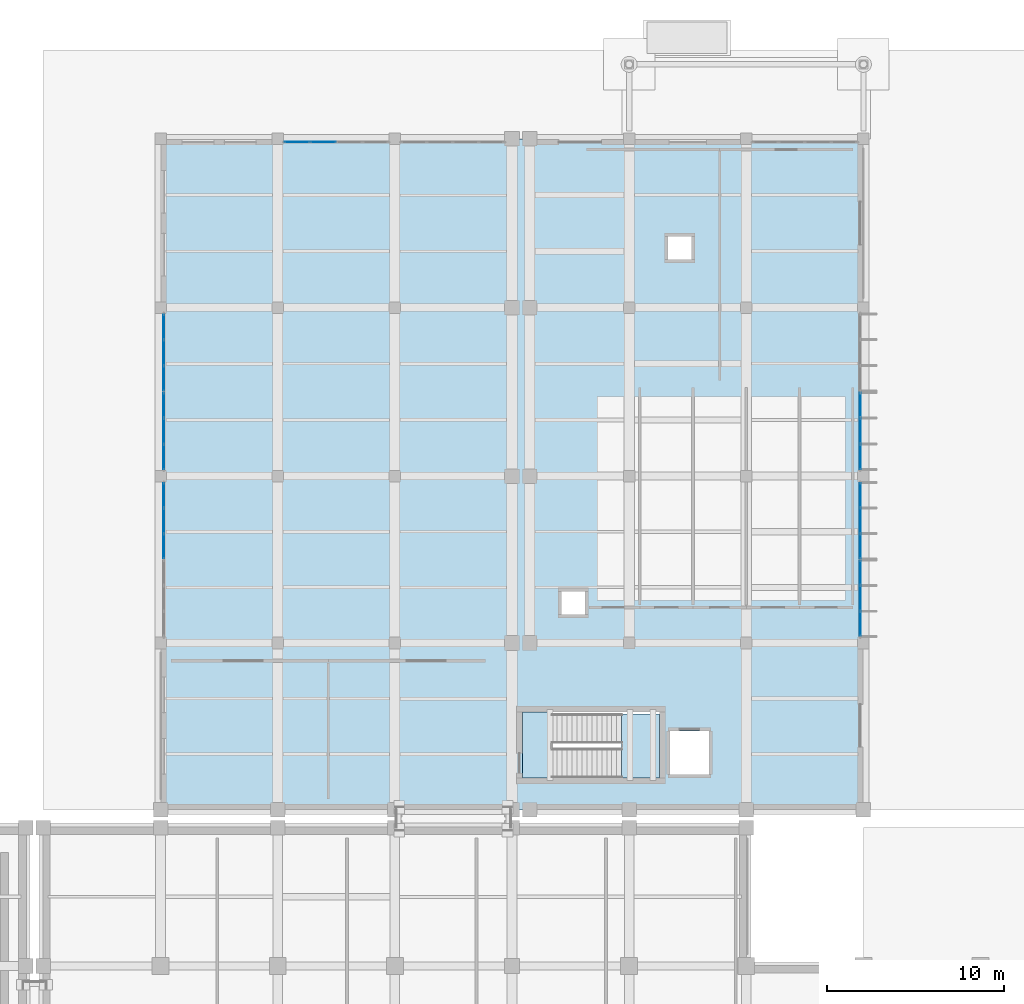
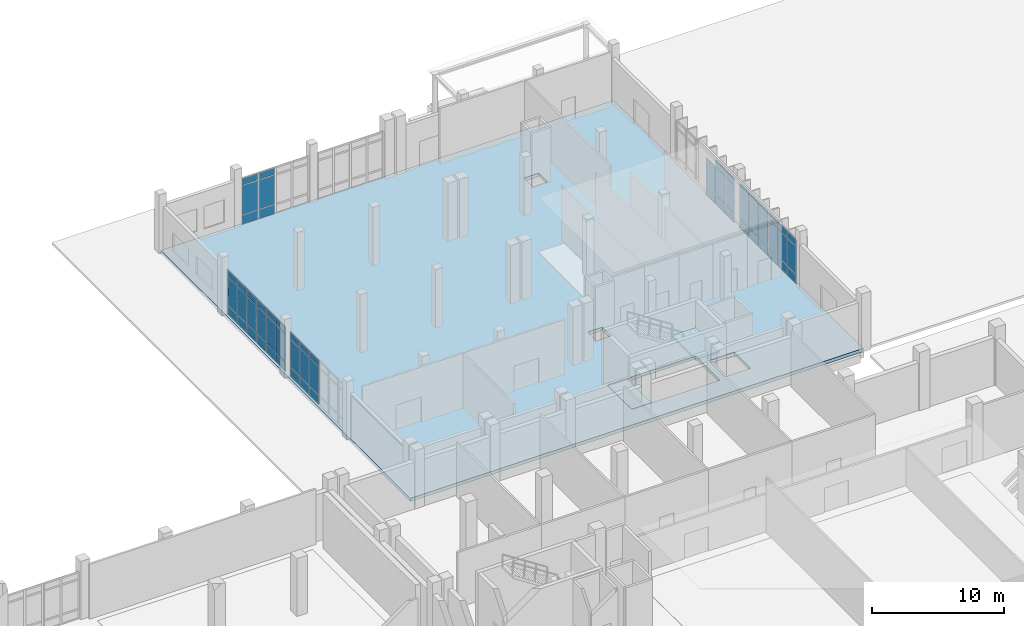
# One storey, part 45 of 79: 59 plates, 3 slabs, 8 elements without a shape of their own.
"""IFC4 building model written with IfcOpenShell, lengths in metres."""

from ifc_helpers import new_model, si_unit, direction, frame, origin, origin_2d, place, context, subcontext, project, spatial, polyline, rectangle, outline, extrude, material, layer, layer_set, type_object, element, aggregate, save


model = new_model("IFC4")

# Units and contexts
model_context = context("Model", 3, precision=1e-05, world=origin(), true_north=direction((0.0, 1.0)))
body_context = subcontext(model_context, "Body", "Model", "MODEL_VIEW")
ifc_project = project(units=[si_unit("LENGTHUNIT", "METRE"), si_unit("AREAUNIT", "SQUARE_METRE"), si_unit("VOLUMEUNIT", "CUBIC_METRE"), si_unit("PLANEANGLEUNIT", "RADIAN"), si_unit("MASSUNIT", "GRAM", prefix="KILO")], contexts=[model_context])

# Site, building, storey
site_placement = place(None, origin())
site = spatial("IfcSite", under=ifc_project, at=site_placement, CompositionType="ELEMENT")
building_placement = place(site_placement, origin())
building = spatial("IfcBuilding", under=site, at=building_placement, Name="Kelarvand Opera House", CompositionType="ELEMENT")
storey_placement = place(building_placement, origin())
storey = spatial("IfcBuildingStorey", under=building, at=storey_placement, Name="L00", CompositionType="ELEMENT", Elevation=0.0)

# Slab
ifc_material_1 = material(Name="Concrete C35/45", Category="concrete")
ifc_layer_1 = layer(ifc_material_1, 0.219970703125, Name="Concrete C35/45", Category="concrete")
ifc_layer_set_1 = layer_set([ifc_layer_1], Name="Concrete C35/45")
slab_type_1 = type_object("IfcSlabType", Name="Core Stair Entry Landing Slab 220", PredefinedType="LANDING", material=ifc_layer_set_1)
slab_1_placement = place(storey_placement, frame((0.0, 0.0, -0.219970703125)))
element("IfcSlab", 1, at=slab_1_placement, inside=storey, type_object=slab_type_1, Name="C7 Stair Entry Landing L00", PredefinedType="LANDING", context=body_context, shape_type="SweptSolid", body=[
    extrude(outline(polyline([(116.0, 89.0), (117.719970703125, 89.0), (117.719970703125, 92.699951171875), (116.0, 92.699951171875), (116.0, 89.0)])), origin(), (0.0, 0.0, 1.0), 0.219970703125),
])

# Curtain wall, plates
ifc_material_2 = material(Name="Thermally broken aluminium and low-E glazing", Category="aluminium")
ifc_layer_2 = layer(ifc_material_2, 0.179931640625, Name="Thermally broken aluminium and low-E glazing", Category="aluminium")
ifc_layer_set_2 = layer_set([ifc_layer_2], Name="Thermally broken aluminium and low-E glazing")
curtain_wall_type_1 = type_object("IfcCurtainWallType", Name="Unitised Low-E Curtain Wall 4411x4200 Mod 1450 CWF-37", PredefinedType="USERDEFINED", material=ifc_layer_set_2)
curtain_wall_1_placement = place(storey_placement, origin())
curtain_wall_1 = element("IfcCurtainWall", 2, at=curtain_wall_1_placement, inside=storey, type_object=curtain_wall_type_1, Name="V5 L00 Curtain Wall CWF-37 (164)", ObjectType="UNITISED CURTAIN WALL", PredefinedType="USERDEFINED")
ifc_material_3 = material(Name="Low-E laminated double glazing", Category="glass")
ifc_layer_3 = layer(ifc_material_3, 0.031982421875, Name="Low-E laminated double glazing", Category="glass")
ifc_layer_set_3 = layer_set([ifc_layer_3], Name="Low-E laminated double glazing")
plate_type = type_object("IfcPlateType", Name="Low-E Argon Double Glazed Curtain Panel 32mm", PredefinedType="CURTAIN_PANEL", material=ifc_layer_set_3)
plate_1_placement = place(storey_placement, frame((135.02001953125, 109.997802734375, 0.06494140625), z_axis=(0.0, 0.0, 1.0), x_axis=(0.0, -1.0, 0.0)))
plate_1 = element("IfcPlate", 3, at=plate_1_placement, type_object=plate_type, Name="CWF-37 panel 1.1", PredefinedType="CURTAIN_PANEL", context=body_context, shape_type="SweptSolid", body=[
    extrude(rectangle(XDim=1.374267578125, YDim=0.031982421875, at=origin_2d()), origin(), (0.0, 0.0, 1.0), 0.802490234375),
])
plate_2_placement = place(storey_placement, frame((135.02001953125, 109.997802734375, 0.9326171875), z_axis=(0.0, 0.0, 1.0), x_axis=(0.0, -1.0, 0.0)))
plate_2 = element("IfcPlate", 4, at=plate_2_placement, type_object=plate_type, Name="CWF-37 panel 1.2", PredefinedType="CURTAIN_PANEL", context=body_context, shape_type="SweptSolid", body=[
    extrude(rectangle(XDim=1.374267578125, YDim=0.031982421875, at=origin_2d()), origin(), (0.0, 0.0, 1.0), 2.534912109375),
])
plate_3_placement = place(storey_placement, frame((135.02001953125, 108.54248046875, 0.06494140625), z_axis=(0.0, 0.0, 1.0), x_axis=(0.0, -1.0, 0.0)))
plate_3 = element("IfcPlate", 5, at=plate_3_placement, type_object=plate_type, Name="CWF-37 panel 2.1", PredefinedType="CURTAIN_PANEL", context=body_context, shape_type="SweptSolid", body=[
    extrude(rectangle(XDim=1.40673828125, YDim=0.031982421875, at=origin_2d()), origin(), (0.0, 0.0, 1.0), 0.802490234375),
])
plate_4_placement = place(storey_placement, frame((135.02001953125, 108.54248046875, 0.9326171875), z_axis=(0.0, 0.0, 1.0), x_axis=(0.0, -1.0, 0.0)))
plate_4 = element("IfcPlate", 6, at=plate_4_placement, type_object=plate_type, Name="CWF-37 panel 2.2", PredefinedType="CURTAIN_PANEL", context=body_context, shape_type="SweptSolid", body=[
    extrude(rectangle(XDim=1.40673828125, YDim=0.031982421875, at=origin_2d()), origin(), (0.0, 0.0, 1.0), 2.534912109375),
])
plate_5_placement = place(storey_placement, frame((135.02001953125, 108.54248046875, 3.532470703125), z_axis=(0.0, 0.0, 1.0), x_axis=(0.0, -1.0, 0.0)))
plate_5 = element("IfcPlate", 7, at=plate_5_placement, type_object=plate_type, Name="CWF-37 panel 2.3", PredefinedType="CURTAIN_PANEL", context=body_context, shape_type="SweptSolid", body=[
    extrude(rectangle(XDim=1.40673828125, YDim=0.031982421875, at=origin_2d()), origin(), (0.0, 0.0, 1.0), 0.6025390625),
])
plate_6_placement = place(storey_placement, frame((135.02001953125, 107.087158203125, 0.06494140625), z_axis=(0.0, 0.0, 1.0), x_axis=(0.0, -1.0, 0.0)))
plate_6 = element("IfcPlate", 8, at=plate_6_placement, type_object=plate_type, Name="CWF-37 panel 3.1", PredefinedType="CURTAIN_PANEL", context=body_context, shape_type="SweptSolid", body=[
    extrude(rectangle(XDim=1.374267578125, YDim=0.031982421875, at=origin_2d()), origin(), (0.0, 0.0, 1.0), 0.802490234375),
])
plate_7_placement = place(storey_placement, frame((135.02001953125, 107.087158203125, 0.9326171875), z_axis=(0.0, 0.0, 1.0), x_axis=(0.0, -1.0, 0.0)))
plate_7 = element("IfcPlate", 9, at=plate_7_placement, type_object=plate_type, Name="CWF-37 panel 3.2", PredefinedType="CURTAIN_PANEL", context=body_context, shape_type="SweptSolid", body=[
    extrude(rectangle(XDim=1.374267578125, YDim=0.031982421875, at=origin_2d()), origin(), (0.0, 0.0, 1.0), 2.534912109375),
])
plate_8_placement = place(storey_placement, frame((135.02001953125, 107.087158203125, 3.532470703125), z_axis=(0.0, 0.0, 1.0), x_axis=(0.0, -1.0, 0.0)))
plate_8 = element("IfcPlate", 10, at=plate_8_placement, type_object=plate_type, Name="CWF-37 panel 3.3", PredefinedType="CURTAIN_PANEL", context=body_context, shape_type="SweptSolid", body=[
    extrude(rectangle(XDim=1.374267578125, YDim=0.031982421875, at=origin_2d()), origin(), (0.0, 0.0, 1.0), 0.6025390625),
])
aggregate(curtain_wall_1, [plate_1, plate_2, plate_3, plate_4, plate_5, plate_6, plate_7, plate_8])

ifc_layer_4 = layer(ifc_material_2, 0.179931640625, Name="Thermally broken aluminium and low-E glazing", Category="aluminium")
ifc_layer_set_4 = layer_set([ifc_layer_4], Name="Thermally broken aluminium and low-E glazing")
curtain_wall_type_2 = type_object("IfcCurtainWallType", Name="Unitised Low-E Curtain Wall 4361x4200 Mod 1450 CWF-38", PredefinedType="USERDEFINED", material=ifc_layer_set_4)
curtain_wall_2_placement = place(storey_placement, origin())
curtain_wall_2 = element("IfcCurtainWall", 11, at=curtain_wall_2_placement, inside=storey, type_object=curtain_wall_type_2, Name="V5 L00 Curtain Wall CWF-38 (165)", ObjectType="UNITISED CURTAIN WALL", PredefinedType="USERDEFINED")
plate_9_placement = place(storey_placement, frame((135.02001953125, 104.921875, 0.06494140625), z_axis=(0.0, 0.0, 1.0), x_axis=(0.0, -1.0, 0.0)))
plate_9 = element("IfcPlate", 12, at=plate_9_placement, type_object=plate_type, Name="CWF-38 panel 1.1", PredefinedType="CURTAIN_PANEL", context=body_context, shape_type="SweptSolid", body=[
    extrude(rectangle(XDim=1.356201171875, YDim=0.031982421875, at=origin_2d()), origin(), (0.0, 0.0, 1.0), 0.802490234375),
])
plate_10_placement = place(storey_placement, frame((135.02001953125, 104.921875, 0.9326171875), z_axis=(0.0, 0.0, 1.0), x_axis=(0.0, -1.0, 0.0)))
plate_10 = element("IfcPlate", 13, at=plate_10_placement, type_object=plate_type, Name="CWF-38 panel 1.2", PredefinedType="CURTAIN_PANEL", context=body_context, shape_type="SweptSolid", body=[
    extrude(rectangle(XDim=1.356201171875, YDim=0.031982421875, at=origin_2d()), origin(), (0.0, 0.0, 1.0), 2.534912109375),
])
plate_11_placement = place(storey_placement, frame((135.02001953125, 104.921875, 3.532470703125), z_axis=(0.0, 0.0, 1.0), x_axis=(0.0, -1.0, 0.0)))
plate_11 = element("IfcPlate", 14, at=plate_11_placement, type_object=plate_type, Name="CWF-38 panel 1.3", PredefinedType="CURTAIN_PANEL", context=body_context, shape_type="SweptSolid", body=[
    extrude(rectangle(XDim=1.356201171875, YDim=0.031982421875, at=origin_2d()), origin(), (0.0, 0.0, 1.0), 0.6025390625),
])
plate_12_placement = place(storey_placement, frame((135.02001953125, 103.484619140625, 0.06494140625), z_axis=(0.0, 0.0, 1.0), x_axis=(0.0, -1.0, 0.0)))
plate_12 = element("IfcPlate", 15, at=plate_12_placement, type_object=plate_type, Name="CWF-38 panel 2.1", PredefinedType="CURTAIN_PANEL", context=body_context, shape_type="SweptSolid", body=[
    extrude(rectangle(XDim=1.388671875, YDim=0.031982421875, at=origin_2d()), origin(), (0.0, 0.0, 1.0), 0.802490234375),
])
plate_13_placement = place(storey_placement, frame((135.02001953125, 103.484619140625, 0.9326171875), z_axis=(0.0, 0.0, 1.0), x_axis=(0.0, -1.0, 0.0)))
plate_13 = element("IfcPlate", 16, at=plate_13_placement, type_object=plate_type, Name="CWF-38 panel 2.2", PredefinedType="CURTAIN_PANEL", context=body_context, shape_type="SweptSolid", body=[
    extrude(rectangle(XDim=1.388671875, YDim=0.031982421875, at=origin_2d()), origin(), (0.0, 0.0, 1.0), 2.534912109375),
])
plate_14_placement = place(storey_placement, frame((135.02001953125, 103.484619140625, 3.532470703125), z_axis=(0.0, 0.0, 1.0), x_axis=(0.0, -1.0, 0.0)))
plate_14 = element("IfcPlate", 17, at=plate_14_placement, type_object=plate_type, Name="CWF-38 panel 2.3", PredefinedType="CURTAIN_PANEL", context=body_context, shape_type="SweptSolid", body=[
    extrude(rectangle(XDim=1.388671875, YDim=0.031982421875, at=origin_2d()), origin(), (0.0, 0.0, 1.0), 0.6025390625),
])
plate_15_placement = place(storey_placement, frame((135.02001953125, 102.047119140625, 0.06494140625), z_axis=(0.0, 0.0, 1.0), x_axis=(0.0, -1.0, 0.0)))
plate_15 = element("IfcPlate", 18, at=plate_15_placement, type_object=plate_type, Name="CWF-38 panel 3.1", PredefinedType="CURTAIN_PANEL", context=body_context, shape_type="SweptSolid", body=[
    extrude(rectangle(XDim=1.356201171875, YDim=0.031982421875, at=origin_2d()), origin(), (0.0, 0.0, 1.0), 0.802490234375),
])
plate_16_placement = place(storey_placement, frame((135.02001953125, 102.047119140625, 0.9326171875), z_axis=(0.0, 0.0, 1.0), x_axis=(0.0, -1.0, 0.0)))
plate_16 = element("IfcPlate", 19, at=plate_16_placement, type_object=plate_type, Name="CWF-38 panel 3.2", PredefinedType="CURTAIN_PANEL", context=body_context, shape_type="SweptSolid", body=[
    extrude(rectangle(XDim=1.356201171875, YDim=0.031982421875, at=origin_2d()), origin(), (0.0, 0.0, 1.0), 2.534912109375),
])
plate_17_placement = place(storey_placement, frame((135.02001953125, 102.047119140625, 3.532470703125), z_axis=(0.0, 0.0, 1.0), x_axis=(0.0, -1.0, 0.0)))
plate_17 = element("IfcPlate", 20, at=plate_17_placement, type_object=plate_type, Name="CWF-38 panel 3.3", PredefinedType="CURTAIN_PANEL", context=body_context, shape_type="SweptSolid", body=[
    extrude(rectangle(XDim=1.356201171875, YDim=0.031982421875, at=origin_2d()), origin(), (0.0, 0.0, 1.0), 0.6025390625),
])
aggregate(curtain_wall_2, [plate_9, plate_10, plate_11, plate_12, plate_13, plate_14, plate_15, plate_16, plate_17])

curtain_wall_3_placement = place(storey_placement, origin())
curtain_wall_3 = element("IfcCurtainWall", 21, at=curtain_wall_3_placement, inside=storey, type_object=curtain_wall_type_2, Name="V5 L00 Curtain Wall CWF-38 (166)", ObjectType="UNITISED CURTAIN WALL", PredefinedType="USERDEFINED")
plate_18_placement = place(storey_placement, frame((135.02001953125, 100.55615234375, 0.06494140625), z_axis=(0.0, 0.0, 1.0), x_axis=(0.0, -1.0, 0.0)))
plate_18 = element("IfcPlate", 22, at=plate_18_placement, type_object=plate_type, Name="CWF-38 panel 1.1", PredefinedType="CURTAIN_PANEL", context=body_context, shape_type="SweptSolid", body=[
    extrude(rectangle(XDim=1.357421875, YDim=0.031982421875, at=origin_2d()), origin(), (0.0, 0.0, 1.0), 0.802490234375),
])
plate_19_placement = place(storey_placement, frame((135.02001953125, 100.55615234375, 0.9326171875), z_axis=(0.0, 0.0, 1.0), x_axis=(0.0, -1.0, 0.0)))
plate_19 = element("IfcPlate", 23, at=plate_19_placement, type_object=plate_type, Name="CWF-38 panel 1.2", PredefinedType="CURTAIN_PANEL", context=body_context, shape_type="SweptSolid", body=[
    extrude(rectangle(XDim=1.357421875, YDim=0.031982421875, at=origin_2d()), origin(), (0.0, 0.0, 1.0), 2.534912109375),
])
plate_20_placement = place(storey_placement, frame((135.02001953125, 100.55615234375, 3.532470703125), z_axis=(0.0, 0.0, 1.0), x_axis=(0.0, -1.0, 0.0)))
plate_20 = element("IfcPlate", 24, at=plate_20_placement, type_object=plate_type, Name="CWF-38 panel 1.3", PredefinedType="CURTAIN_PANEL", context=body_context, shape_type="SweptSolid", body=[
    extrude(rectangle(XDim=1.357421875, YDim=0.031982421875, at=origin_2d()), origin(), (0.0, 0.0, 1.0), 0.6025390625),
])
plate_21_placement = place(storey_placement, frame((135.02001953125, 99.117431640625, 0.06494140625), z_axis=(0.0, 0.0, 1.0), x_axis=(0.0, -1.0, 0.0)))
plate_21 = element("IfcPlate", 25, at=plate_21_placement, type_object=plate_type, Name="CWF-38 panel 2.1", PredefinedType="CURTAIN_PANEL", context=body_context, shape_type="SweptSolid", body=[
    extrude(rectangle(XDim=1.389892578125, YDim=0.031982421875, at=origin_2d()), origin(), (0.0, 0.0, 1.0), 0.802490234375),
])
plate_22_placement = place(storey_placement, frame((135.02001953125, 99.117431640625, 0.9326171875), z_axis=(0.0, 0.0, 1.0), x_axis=(0.0, -1.0, 0.0)))
plate_22 = element("IfcPlate", 26, at=plate_22_placement, type_object=plate_type, Name="CWF-38 panel 2.2", PredefinedType="CURTAIN_PANEL", context=body_context, shape_type="SweptSolid", body=[
    extrude(rectangle(XDim=1.389892578125, YDim=0.031982421875, at=origin_2d()), origin(), (0.0, 0.0, 1.0), 2.534912109375),
])
plate_23_placement = place(storey_placement, frame((135.02001953125, 99.117431640625, 3.532470703125), z_axis=(0.0, 0.0, 1.0), x_axis=(0.0, -1.0, 0.0)))
plate_23 = element("IfcPlate", 27, at=plate_23_placement, type_object=plate_type, Name="CWF-38 panel 2.3", PredefinedType="CURTAIN_PANEL", context=body_context, shape_type="SweptSolid", body=[
    extrude(rectangle(XDim=1.389892578125, YDim=0.031982421875, at=origin_2d()), origin(), (0.0, 0.0, 1.0), 0.6025390625),
])
plate_24_placement = place(storey_placement, frame((135.02001953125, 97.6787109375, 0.06494140625), z_axis=(0.0, 0.0, 1.0), x_axis=(0.0, -1.0, 0.0)))
plate_24 = element("IfcPlate", 28, at=plate_24_placement, type_object=plate_type, Name="CWF-38 panel 3.1", PredefinedType="CURTAIN_PANEL", context=body_context, shape_type="SweptSolid", body=[
    extrude(rectangle(XDim=1.357421875, YDim=0.031982421875, at=origin_2d()), origin(), (0.0, 0.0, 1.0), 0.802490234375),
])
plate_25_placement = place(storey_placement, frame((135.02001953125, 97.6787109375, 0.9326171875), z_axis=(0.0, 0.0, 1.0), x_axis=(0.0, -1.0, 0.0)))
plate_25 = element("IfcPlate", 29, at=plate_25_placement, type_object=plate_type, Name="CWF-38 panel 3.2", PredefinedType="CURTAIN_PANEL", context=body_context, shape_type="SweptSolid", body=[
    extrude(rectangle(XDim=1.357421875, YDim=0.031982421875, at=origin_2d()), origin(), (0.0, 0.0, 1.0), 2.534912109375),
])
plate_26_placement = place(storey_placement, frame((135.02001953125, 97.6787109375, 3.532470703125), z_axis=(0.0, 0.0, 1.0), x_axis=(0.0, -1.0, 0.0)))
plate_26 = element("IfcPlate", 30, at=plate_26_placement, type_object=plate_type, Name="CWF-38 panel 3.3", PredefinedType="CURTAIN_PANEL", context=body_context, shape_type="SweptSolid", body=[
    extrude(rectangle(XDim=1.357421875, YDim=0.031982421875, at=origin_2d()), origin(), (0.0, 0.0, 1.0), 0.6025390625),
])
aggregate(curtain_wall_3, [plate_18, plate_19, plate_20, plate_21, plate_22, plate_23, plate_24, plate_25, plate_26])

ifc_layer_5 = layer(ifc_material_2, 0.179931640625, Name="Thermally broken aluminium and low-E glazing", Category="aluminium")
ifc_layer_set_5 = layer_set([ifc_layer_5], Name="Thermally broken aluminium and low-E glazing")
curtain_wall_type_3 = type_object("IfcCurtainWallType", Name="Unitised Low-E Curtain Wall 5930x4350 Mod 1450 CWF-39", PredefinedType="USERDEFINED", material=ifc_layer_set_5)
curtain_wall_4_placement = place(storey_placement, origin())
curtain_wall_4 = element("IfcCurtainWall", 31, at=curtain_wall_4_placement, inside=storey, type_object=curtain_wall_type_3, Name="V5 L00 Curtain Wall CWF-39 (167)", ObjectType="UNITISED CURTAIN WALL", PredefinedType="USERDEFINED")
plate_27_placement = place(storey_placement, frame((103.29248046875, 124.820068359375, 0.06494140625), z_axis=(0.0, 0.0, 1.0), x_axis=(1.0, 0.0, 0.0)))
plate_27 = element("IfcPlate", 32, at=plate_27_placement, type_object=plate_type, Name="CWF-39 panel 1.1", PredefinedType="CURTAIN_PANEL", context=body_context, shape_type="SweptSolid", body=[
    extrude(rectangle(XDim=1.385009765625, YDim=0.031982421875, at=origin_2d()), origin(), (0.0, 0.0, 1.0), 0.802490234375),
])
plate_28_placement = place(storey_placement, frame((103.29248046875, 124.820068359375, 0.932373046875), z_axis=(0.0, 0.0, 1.0), x_axis=(1.0, 0.0, 0.0)))
plate_28 = element("IfcPlate", 33, at=plate_28_placement, type_object=plate_type, Name="CWF-39 panel 1.2", PredefinedType="CURTAIN_PANEL", context=body_context, shape_type="SweptSolid", body=[
    extrude(rectangle(XDim=1.385009765625, YDim=0.031982421875, at=origin_2d()), origin(), (0.0, 0.0, 1.0), 2.68505859375),
])
plate_29_placement = place(storey_placement, frame((103.29248046875, 124.820068359375, 3.682373046875), z_axis=(0.0, 0.0, 1.0), x_axis=(1.0, 0.0, 0.0)))
plate_29 = element("IfcPlate", 34, at=plate_29_placement, type_object=plate_type, Name="CWF-39 panel 1.3", PredefinedType="CURTAIN_PANEL", context=body_context, shape_type="SweptSolid", body=[
    extrude(rectangle(XDim=1.385009765625, YDim=0.031982421875, at=origin_2d()), origin(), (0.0, 0.0, 1.0), 0.6025390625),
])
plate_30_placement = place(storey_placement, frame((104.7587890625, 124.820068359375, 0.06494140625), z_axis=(0.0, 0.0, 1.0), x_axis=(1.0, 0.0, 0.0)))
plate_30 = element("IfcPlate", 35, at=plate_30_placement, type_object=plate_type, Name="CWF-39 panel 2.1", PredefinedType="CURTAIN_PANEL", context=body_context, shape_type="SweptSolid", body=[
    extrude(rectangle(XDim=1.41748046875, YDim=0.031982421875, at=origin_2d()), origin(), (0.0, 0.0, 1.0), 0.802490234375),
])
plate_31_placement = place(storey_placement, frame((104.7587890625, 124.820068359375, 0.932373046875), z_axis=(0.0, 0.0, 1.0), x_axis=(1.0, 0.0, 0.0)))
plate_31 = element("IfcPlate", 36, at=plate_31_placement, type_object=plate_type, Name="CWF-39 panel 2.2", PredefinedType="CURTAIN_PANEL", context=body_context, shape_type="SweptSolid", body=[
    extrude(rectangle(XDim=1.41748046875, YDim=0.031982421875, at=origin_2d()), origin(), (0.0, 0.0, 1.0), 2.68505859375),
])
plate_32_placement = place(storey_placement, frame((104.7587890625, 124.820068359375, 3.682373046875), z_axis=(0.0, 0.0, 1.0), x_axis=(1.0, 0.0, 0.0)))
plate_32 = element("IfcPlate", 37, at=plate_32_placement, type_object=plate_type, Name="CWF-39 panel 2.3", PredefinedType="CURTAIN_PANEL", context=body_context, shape_type="SweptSolid", body=[
    extrude(rectangle(XDim=1.41748046875, YDim=0.031982421875, at=origin_2d()), origin(), (0.0, 0.0, 1.0), 0.6025390625),
])
aggregate(curtain_wall_4, [plate_27, plate_28, plate_29, plate_30, plate_31, plate_32])

curtain_wall_5_placement = place(storey_placement, origin())
curtain_wall_5 = element("IfcCurtainWall", 38, at=curtain_wall_5_placement, inside=storey, type_object=curtain_wall_type_2, Name="V5 L00 Curtain Wall CWF-38 (171)", ObjectType="UNITISED CURTAIN WALL", PredefinedType="USERDEFINED")
plate_33_placement = place(storey_placement, frame((95.780029296875, 102.043701171875, 0.06494140625), z_axis=(0.0, 0.0, 1.0), x_axis=(0.0, 1.0, 0.0)))
plate_33 = element("IfcPlate", 39, at=plate_33_placement, type_object=plate_type, Name="CWF-38 panel 1.1", PredefinedType="CURTAIN_PANEL", context=body_context, shape_type="SweptSolid", body=[
    extrude(rectangle(XDim=1.357421875, YDim=0.031982421875, at=origin_2d()), origin(), (0.0, 0.0, 1.0), 0.802490234375),
])
plate_34_placement = place(storey_placement, frame((95.780029296875, 102.043701171875, 0.9326171875), z_axis=(0.0, 0.0, 1.0), x_axis=(0.0, 1.0, 0.0)))
plate_34 = element("IfcPlate", 40, at=plate_34_placement, type_object=plate_type, Name="CWF-38 panel 1.2", PredefinedType="CURTAIN_PANEL", context=body_context, shape_type="SweptSolid", body=[
    extrude(rectangle(XDim=1.357421875, YDim=0.031982421875, at=origin_2d()), origin(), (0.0, 0.0, 1.0), 2.534912109375),
])
plate_35_placement = place(storey_placement, frame((95.780029296875, 102.043701171875, 3.532470703125), z_axis=(0.0, 0.0, 1.0), x_axis=(0.0, 1.0, 0.0)))
plate_35 = element("IfcPlate", 41, at=plate_35_placement, type_object=plate_type, Name="CWF-38 panel 1.3", PredefinedType="CURTAIN_PANEL", context=body_context, shape_type="SweptSolid", body=[
    extrude(rectangle(XDim=1.357421875, YDim=0.031982421875, at=origin_2d()), origin(), (0.0, 0.0, 1.0), 0.6025390625),
])
plate_36_placement = place(storey_placement, frame((95.780029296875, 103.482421875, 0.06494140625), z_axis=(0.0, 0.0, 1.0), x_axis=(0.0, 1.0, 0.0)))
plate_36 = element("IfcPlate", 42, at=plate_36_placement, type_object=plate_type, Name="CWF-38 panel 2.1", PredefinedType="CURTAIN_PANEL", context=body_context, shape_type="SweptSolid", body=[
    extrude(rectangle(XDim=1.389892578125, YDim=0.031982421875, at=origin_2d()), origin(), (0.0, 0.0, 1.0), 0.802490234375),
])
plate_37_placement = place(storey_placement, frame((95.780029296875, 103.482421875, 0.9326171875), z_axis=(0.0, 0.0, 1.0), x_axis=(0.0, 1.0, 0.0)))
plate_37 = element("IfcPlate", 43, at=plate_37_placement, type_object=plate_type, Name="CWF-38 panel 2.2", PredefinedType="CURTAIN_PANEL", context=body_context, shape_type="SweptSolid", body=[
    extrude(rectangle(XDim=1.389892578125, YDim=0.031982421875, at=origin_2d()), origin(), (0.0, 0.0, 1.0), 2.534912109375),
])
plate_38_placement = place(storey_placement, frame((95.780029296875, 103.482421875, 3.532470703125), z_axis=(0.0, 0.0, 1.0), x_axis=(0.0, 1.0, 0.0)))
plate_38 = element("IfcPlate", 44, at=plate_38_placement, type_object=plate_type, Name="CWF-38 panel 2.3", PredefinedType="CURTAIN_PANEL", context=body_context, shape_type="SweptSolid", body=[
    extrude(rectangle(XDim=1.389892578125, YDim=0.031982421875, at=origin_2d()), origin(), (0.0, 0.0, 1.0), 0.6025390625),
])
plate_39_placement = place(storey_placement, frame((95.780029296875, 104.921142578125, 0.06494140625), z_axis=(0.0, 0.0, 1.0), x_axis=(0.0, 1.0, 0.0)))
plate_39 = element("IfcPlate", 45, at=plate_39_placement, type_object=plate_type, Name="CWF-38 panel 3.1", PredefinedType="CURTAIN_PANEL", context=body_context, shape_type="SweptSolid", body=[
    extrude(rectangle(XDim=1.357421875, YDim=0.031982421875, at=origin_2d()), origin(), (0.0, 0.0, 1.0), 0.802490234375),
])
plate_40_placement = place(storey_placement, frame((95.780029296875, 104.921142578125, 0.9326171875), z_axis=(0.0, 0.0, 1.0), x_axis=(0.0, 1.0, 0.0)))
plate_40 = element("IfcPlate", 46, at=plate_40_placement, type_object=plate_type, Name="CWF-38 panel 3.2", PredefinedType="CURTAIN_PANEL", context=body_context, shape_type="SweptSolid", body=[
    extrude(rectangle(XDim=1.357421875, YDim=0.031982421875, at=origin_2d()), origin(), (0.0, 0.0, 1.0), 2.534912109375),
])
plate_41_placement = place(storey_placement, frame((95.780029296875, 104.921142578125, 3.532470703125), z_axis=(0.0, 0.0, 1.0), x_axis=(0.0, 1.0, 0.0)))
plate_41 = element("IfcPlate", 47, at=plate_41_placement, type_object=plate_type, Name="CWF-38 panel 3.3", PredefinedType="CURTAIN_PANEL", context=body_context, shape_type="SweptSolid", body=[
    extrude(rectangle(XDim=1.357421875, YDim=0.031982421875, at=origin_2d()), origin(), (0.0, 0.0, 1.0), 0.6025390625),
])
aggregate(curtain_wall_5, [plate_33, plate_34, plate_35, plate_36, plate_37, plate_38, plate_39, plate_40, plate_41])

curtain_wall_6_placement = place(storey_placement, origin())
curtain_wall_6 = element("IfcCurtainWall", 48, at=curtain_wall_6_placement, inside=storey, type_object=curtain_wall_type_1, Name="V5 L00 Curtain Wall CWF-37 (172)", ObjectType="UNITISED CURTAIN WALL", PredefinedType="USERDEFINED")
plate_42_placement = place(storey_placement, frame((95.780029296875, 107.08642578125, 0.06494140625), z_axis=(0.0, 0.0, 1.0), x_axis=(0.0, 1.0, 0.0)))
plate_42 = element("IfcPlate", 49, at=plate_42_placement, type_object=plate_type, Name="CWF-37 panel 1.1", PredefinedType="CURTAIN_PANEL", context=body_context, shape_type="SweptSolid", body=[
    extrude(rectangle(XDim=1.372802734375, YDim=0.031982421875, at=origin_2d()), origin(), (0.0, 0.0, 1.0), 0.802490234375),
])
plate_43_placement = place(storey_placement, frame((95.780029296875, 107.08642578125, 0.9326171875), z_axis=(0.0, 0.0, 1.0), x_axis=(0.0, 1.0, 0.0)))
plate_43 = element("IfcPlate", 50, at=plate_43_placement, type_object=plate_type, Name="CWF-37 panel 1.2", PredefinedType="CURTAIN_PANEL", context=body_context, shape_type="SweptSolid", body=[
    extrude(rectangle(XDim=1.372802734375, YDim=0.031982421875, at=origin_2d()), origin(), (0.0, 0.0, 1.0), 2.534912109375),
])
plate_44_placement = place(storey_placement, frame((95.780029296875, 107.08642578125, 3.532470703125), z_axis=(0.0, 0.0, 1.0), x_axis=(0.0, 1.0, 0.0)))
plate_44 = element("IfcPlate", 51, at=plate_44_placement, type_object=plate_type, Name="CWF-37 panel 1.3", PredefinedType="CURTAIN_PANEL", context=body_context, shape_type="SweptSolid", body=[
    extrude(rectangle(XDim=1.372802734375, YDim=0.031982421875, at=origin_2d()), origin(), (0.0, 0.0, 1.0), 0.6025390625),
])
plate_45_placement = place(storey_placement, frame((95.780029296875, 108.54052734375, 0.06494140625), z_axis=(0.0, 0.0, 1.0), x_axis=(0.0, 1.0, 0.0)))
plate_45 = element("IfcPlate", 52, at=plate_45_placement, type_object=plate_type, Name="CWF-37 panel 2.1", PredefinedType="CURTAIN_PANEL", context=body_context, shape_type="SweptSolid", body=[
    extrude(rectangle(XDim=1.4052734375, YDim=0.031982421875, at=origin_2d()), origin(), (0.0, 0.0, 1.0), 0.802490234375),
])
plate_46_placement = place(storey_placement, frame((95.780029296875, 108.54052734375, 0.9326171875), z_axis=(0.0, 0.0, 1.0), x_axis=(0.0, 1.0, 0.0)))
plate_46 = element("IfcPlate", 53, at=plate_46_placement, type_object=plate_type, Name="CWF-37 panel 2.2", PredefinedType="CURTAIN_PANEL", context=body_context, shape_type="SweptSolid", body=[
    extrude(rectangle(XDim=1.4052734375, YDim=0.031982421875, at=origin_2d()), origin(), (0.0, 0.0, 1.0), 2.534912109375),
])
plate_47_placement = place(storey_placement, frame((95.780029296875, 108.54052734375, 3.532470703125), z_axis=(0.0, 0.0, 1.0), x_axis=(0.0, 1.0, 0.0)))
plate_47 = element("IfcPlate", 54, at=plate_47_placement, type_object=plate_type, Name="CWF-37 panel 2.3", PredefinedType="CURTAIN_PANEL", context=body_context, shape_type="SweptSolid", body=[
    extrude(rectangle(XDim=1.4052734375, YDim=0.031982421875, at=origin_2d()), origin(), (0.0, 0.0, 1.0), 0.6025390625),
])
plate_48_placement = place(storey_placement, frame((95.780029296875, 109.99462890625, 0.06494140625), z_axis=(0.0, 0.0, 1.0), x_axis=(0.0, 1.0, 0.0)))
plate_48 = element("IfcPlate", 55, at=plate_48_placement, type_object=plate_type, Name="CWF-37 panel 3.1", PredefinedType="CURTAIN_PANEL", context=body_context, shape_type="SweptSolid", body=[
    extrude(rectangle(XDim=1.372802734375, YDim=0.031982421875, at=origin_2d()), origin(), (0.0, 0.0, 1.0), 0.802490234375),
])
plate_49_placement = place(storey_placement, frame((95.780029296875, 109.99462890625, 0.9326171875), z_axis=(0.0, 0.0, 1.0), x_axis=(0.0, 1.0, 0.0)))
plate_49 = element("IfcPlate", 56, at=plate_49_placement, type_object=plate_type, Name="CWF-37 panel 3.2", PredefinedType="CURTAIN_PANEL", context=body_context, shape_type="SweptSolid", body=[
    extrude(rectangle(XDim=1.372802734375, YDim=0.031982421875, at=origin_2d()), origin(), (0.0, 0.0, 1.0), 2.534912109375),
])
plate_50_placement = place(storey_placement, frame((95.780029296875, 109.99462890625, 3.532470703125), z_axis=(0.0, 0.0, 1.0), x_axis=(0.0, 1.0, 0.0)))
plate_50 = element("IfcPlate", 57, at=plate_50_placement, type_object=plate_type, Name="CWF-37 panel 3.3", PredefinedType="CURTAIN_PANEL", context=body_context, shape_type="SweptSolid", body=[
    extrude(rectangle(XDim=1.372802734375, YDim=0.031982421875, at=origin_2d()), origin(), (0.0, 0.0, 1.0), 0.6025390625),
])
aggregate(curtain_wall_6, [plate_42, plate_43, plate_44, plate_45, plate_46, plate_47, plate_48, plate_49, plate_50])

curtain_wall_7_placement = place(storey_placement, origin())
curtain_wall_7 = element("IfcCurtainWall", 58, at=curtain_wall_7_placement, inside=storey, type_object=curtain_wall_type_1, Name="V5 L00 Curtain Wall CWF-37 (173)", ObjectType="UNITISED CURTAIN WALL", PredefinedType="USERDEFINED")
plate_51_placement = place(storey_placement, frame((95.780029296875, 111.502197265625, 0.06494140625), z_axis=(0.0, 0.0, 1.0), x_axis=(0.0, 1.0, 0.0)))
plate_51 = element("IfcPlate", 59, at=plate_51_placement, type_object=plate_type, Name="CWF-37 panel 1.1", PredefinedType="CURTAIN_PANEL", context=body_context, shape_type="SweptSolid", body=[
    extrude(rectangle(XDim=1.374267578125, YDim=0.031982421875, at=origin_2d()), origin(), (0.0, 0.0, 1.0), 0.802490234375),
])
plate_52_placement = place(storey_placement, frame((95.780029296875, 111.502197265625, 0.9326171875), z_axis=(0.0, 0.0, 1.0), x_axis=(0.0, 1.0, 0.0)))
plate_52 = element("IfcPlate", 60, at=plate_52_placement, type_object=plate_type, Name="CWF-37 panel 1.2", PredefinedType="CURTAIN_PANEL", context=body_context, shape_type="SweptSolid", body=[
    extrude(rectangle(XDim=1.374267578125, YDim=0.031982421875, at=origin_2d()), origin(), (0.0, 0.0, 1.0), 2.534912109375),
])
plate_53_placement = place(storey_placement, frame((95.780029296875, 111.502197265625, 3.532470703125), z_axis=(0.0, 0.0, 1.0), x_axis=(0.0, 1.0, 0.0)))
plate_53 = element("IfcPlate", 61, at=plate_53_placement, type_object=plate_type, Name="CWF-37 panel 1.3", PredefinedType="CURTAIN_PANEL", context=body_context, shape_type="SweptSolid", body=[
    extrude(rectangle(XDim=1.374267578125, YDim=0.031982421875, at=origin_2d()), origin(), (0.0, 0.0, 1.0), 0.6025390625),
])
plate_54_placement = place(storey_placement, frame((95.780029296875, 112.95751953125, 0.06494140625), z_axis=(0.0, 0.0, 1.0), x_axis=(0.0, 1.0, 0.0)))
plate_54 = element("IfcPlate", 62, at=plate_54_placement, type_object=plate_type, Name="CWF-37 panel 2.1", PredefinedType="CURTAIN_PANEL", context=body_context, shape_type="SweptSolid", body=[
    extrude(rectangle(XDim=1.40673828125, YDim=0.031982421875, at=origin_2d()), origin(), (0.0, 0.0, 1.0), 0.802490234375),
])
plate_55_placement = place(storey_placement, frame((95.780029296875, 112.95751953125, 0.9326171875), z_axis=(0.0, 0.0, 1.0), x_axis=(0.0, 1.0, 0.0)))
plate_55 = element("IfcPlate", 63, at=plate_55_placement, type_object=plate_type, Name="CWF-37 panel 2.2", PredefinedType="CURTAIN_PANEL", context=body_context, shape_type="SweptSolid", body=[
    extrude(rectangle(XDim=1.40673828125, YDim=0.031982421875, at=origin_2d()), origin(), (0.0, 0.0, 1.0), 2.534912109375),
])
plate_56_placement = place(storey_placement, frame((95.780029296875, 112.95751953125, 3.532470703125), z_axis=(0.0, 0.0, 1.0), x_axis=(0.0, 1.0, 0.0)))
plate_56 = element("IfcPlate", 64, at=plate_56_placement, type_object=plate_type, Name="CWF-37 panel 2.3", PredefinedType="CURTAIN_PANEL", context=body_context, shape_type="SweptSolid", body=[
    extrude(rectangle(XDim=1.40673828125, YDim=0.031982421875, at=origin_2d()), origin(), (0.0, 0.0, 1.0), 0.6025390625),
])
plate_57_placement = place(storey_placement, frame((95.780029296875, 114.412841796875, 0.06494140625), z_axis=(0.0, 0.0, 1.0), x_axis=(0.0, 1.0, 0.0)))
plate_57 = element("IfcPlate", 65, at=plate_57_placement, type_object=plate_type, Name="CWF-37 panel 3.1", PredefinedType="CURTAIN_PANEL", context=body_context, shape_type="SweptSolid", body=[
    extrude(rectangle(XDim=1.374267578125, YDim=0.031982421875, at=origin_2d()), origin(), (0.0, 0.0, 1.0), 0.802490234375),
])
plate_58_placement = place(storey_placement, frame((95.780029296875, 114.412841796875, 0.9326171875), z_axis=(0.0, 0.0, 1.0), x_axis=(0.0, 1.0, 0.0)))
plate_58 = element("IfcPlate", 66, at=plate_58_placement, type_object=plate_type, Name="CWF-37 panel 3.2", PredefinedType="CURTAIN_PANEL", context=body_context, shape_type="SweptSolid", body=[
    extrude(rectangle(XDim=1.374267578125, YDim=0.031982421875, at=origin_2d()), origin(), (0.0, 0.0, 1.0), 2.534912109375),
])
plate_59_placement = place(storey_placement, frame((95.780029296875, 114.412841796875, 3.532470703125), z_axis=(0.0, 0.0, 1.0), x_axis=(0.0, 1.0, 0.0)))
plate_59 = element("IfcPlate", 67, at=plate_59_placement, type_object=plate_type, Name="CWF-37 panel 3.3", PredefinedType="CURTAIN_PANEL", context=body_context, shape_type="SweptSolid", body=[
    extrude(rectangle(XDim=1.374267578125, YDim=0.031982421875, at=origin_2d()), origin(), (0.0, 0.0, 1.0), 0.6025390625),
])
aggregate(curtain_wall_7, [plate_51, plate_52, plate_53, plate_54, plate_55, plate_56, plate_57, plate_58, plate_59])

# Stair, slab
stair_type = type_object("IfcStairType", Name="Dogleg Concrete Exit Stair 1660mm 30R STA-02", PredefinedType="HALF_TURN_STAIR", material=ifc_material_1)
stair_placement = place(storey_placement, origin())
stair = element("IfcStair", 68, at=stair_placement, inside=storey, type_object=stair_type, Name="L00 North Park Foyer Core C7 Stair ST-07", PredefinedType="HALF_TURN_STAIR")
ifc_layer_6 = layer(ifc_material_1, 0.199951171875, Name="Concrete C35/45", Category="concrete")
ifc_layer_set_6 = layer_set([ifc_layer_6], Name="Concrete C35/45")
slab_type_2 = type_object("IfcSlabType", Name="Precast Stair Half-Landing Slab 200", PredefinedType="LANDING", material=ifc_layer_set_6)
slab_2_placement = place(storey_placement, frame((0.0, 0.0, 2.5)))
slab_2 = element("IfcSlab", 69, at=slab_2_placement, type_object=slab_type_2, Name="ST-07 landing 1", PredefinedType="LANDING", context=body_context, shape_type="SweptSolid", body=[
    extrude(outline(polyline([(121.580078125, 89.0), (123.699951171875, 89.0), (123.699951171875, 92.60009765625), (121.580078125, 92.60009765625), (121.580078125, 89.0)])), origin(), (0.0, 0.0, 1.0), 0.199951171875),
])
aggregate(stair, [slab_2])

# Slab
ifc_layer_7 = layer(ifc_material_1, 0.300048828125, Name="Concrete C35/45", Category="concrete")
ifc_layer_set_7 = layer_set([ifc_layer_7], Name="Concrete C35/45")
slab_type_3 = type_object("IfcSlabType", Name="Suspended Floor Slab 300", PredefinedType="FLOOR", material=ifc_layer_set_7)
slab_3_placement = place(storey_placement, frame((0.0, 0.0, -0.300048828125)))
element("IfcSlab", 70, at=slab_3_placement, inside=storey, type_object=slab_type_3, Name="V5 L00 Structural Slab 35", PredefinedType="FLOOR", context=body_context, shape_type="SweptSolid", body=[
    extrude(outline(polyline([(135.199951171875, 87.199951171875), (135.199951171875, 125.0), (95.60009765625, 125.0), (95.60009765625, 87.199951171875), (135.199951171875, 87.199951171875)]), holes=[polyline([(124.300048828125, 91.64990234375), (126.5, 91.64990234375), (126.5, 89.199951171875), (124.300048828125, 89.199951171875), (124.300048828125, 91.64990234375)]), polyline([(116.0, 92.699951171875), (123.699951171875, 92.699951171875), (123.699951171875, 89.0), (116.0, 89.0), (116.0, 92.699951171875)]), polyline([(118.199951171875, 99.5), (119.5, 99.5), (119.5, 98.199951171875), (118.199951171875, 98.199951171875), (118.199951171875, 99.5)]), polyline([(124.199951171875, 119.5), (125.5, 119.5), (125.5, 118.199951171875), (124.199951171875, 118.199951171875), (124.199951171875, 119.5)])]), origin(), (0.0, 0.0, 1.0), 0.300048828125),
])

save(model, "model.ifc")
